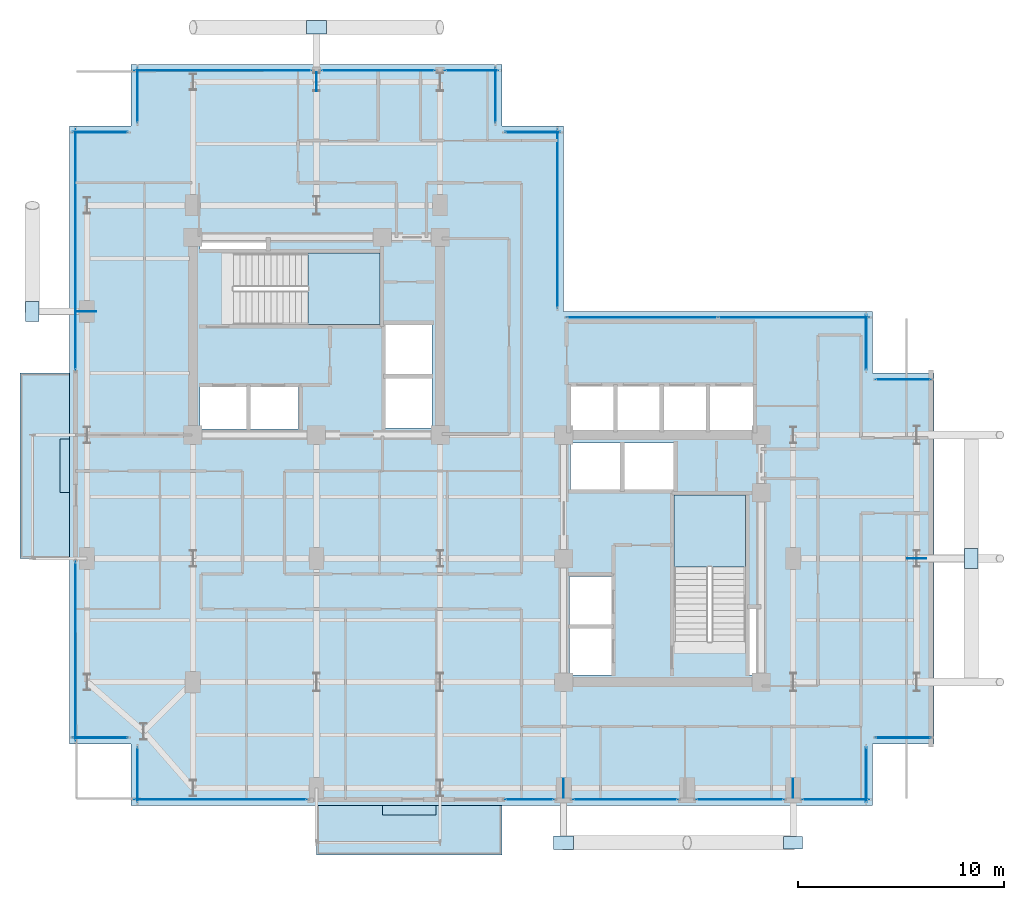
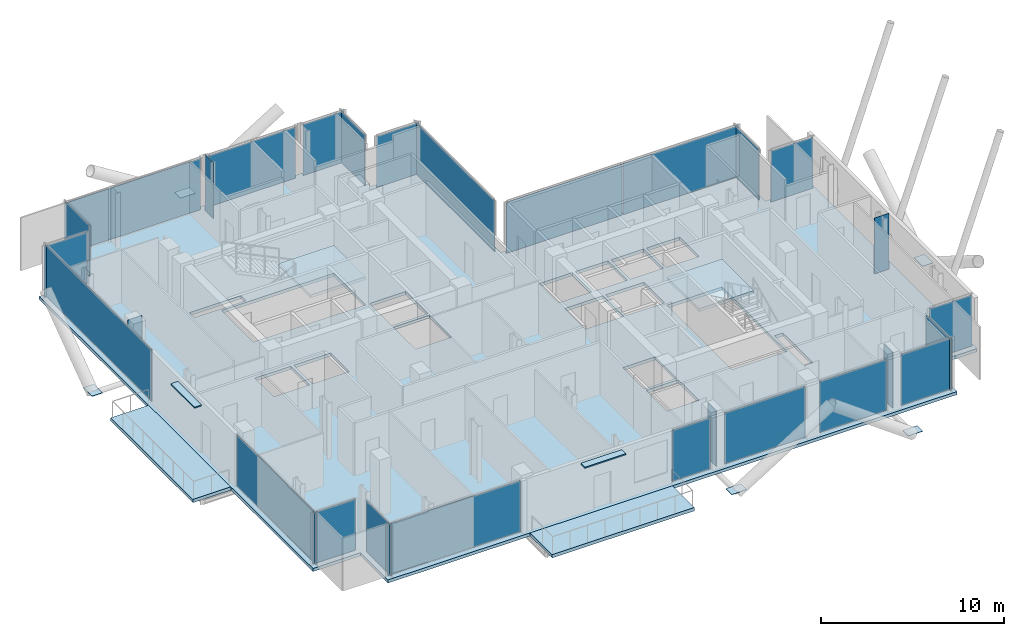
# One storey, part 15 of 22: 35 plates, 5 slabs, 24 elements without a shape of their own.
"""IFC4 building model written with IfcOpenShell, lengths in metres."""

import ifcopenshell
import ifcopenshell.guid

model = None  # the IFC model being written
_history = None  # IfcOwnerHistory: only IFC2X3 demands one
_inside = {}  # id of a spatial element -> (the spatial element, [elements in it])
_under = {}  # id of a project, library or spatial element -> (it, [spatial elements below it])
_declared = {}  # id of a project -> (the project, [libraries it declares])
_typed = {}  # id of a type object -> (the type object, [elements of that type])
_made_of = {}  # id of a material, layer set ... -> (it, [elements and type objects made of it])


def new_model(schema):
    """Start an empty IFC model of exactly this schema.

    Asked for "IFC4X3", IfcOpenShell would pick the latest addendum, in which some entities
    have other attributes; the version numbers below select the first issue.
    IFC2X3 requires an IfcOwnerHistory on every rooted entity: one is made here for all.
    """
    global model, _history
    if schema == "IFC4X3":
        model = ifcopenshell.file(schema_version=(4, 3, 0, 0))
    else:
        model = ifcopenshell.file(schema=schema)
    _inside.clear()
    _under.clear()
    _declared.clear()
    _typed.clear()
    _made_of.clear()
    _history = None
    if model.schema == "IFC2X3":
        org = make("IfcOrganization", Name="unknown")
        user = make(
            "IfcPersonAndOrganization",
            ThePerson=make("IfcPerson", FamilyName="unknown"),
            TheOrganization=org,
        )
        app = make(
            "IfcApplication",
            ApplicationDeveloper=org,
            Version="unknown",
            ApplicationFullName="unknown",
            ApplicationIdentifier="unknown",
        )
        _history = make(
            "IfcOwnerHistory",
            OwningUser=user,
            OwningApplication=app,
            ChangeAction="ADDED",
            CreationDate=0,
        )
    return model


def make(cls, **values):
    """One entity of the class cls with the attributes given. An attribute that is None is left unset."""
    return model.create_entity(
        cls, **{name: value for name, value in values.items() if value is not None}
    )


def rooted(cls, **values):
    """An entity with a GlobalId (a new one), such as an element, a storey or a relation."""
    return make(cls, GlobalId=ifcopenshell.guid.new(), OwnerHistory=_history, **values)


def si_unit(unit_type, name, prefix=None):
    """IfcSIUnit, for example si_unit("LENGTHUNIT", "METRE", prefix="MILLI")."""
    return make("IfcSIUnit", UnitType=unit_type, Prefix=prefix, Name=name)


def assignment(units):
    """IfcUnitAssignment: the units of a project."""
    return None if units is None else make("IfcUnitAssignment", Units=units)


def point(xyz):
    """IfcCartesianPoint."""
    return None if xyz is None else make("IfcCartesianPoint", Coordinates=xyz)


def direction(xyz):
    """IfcDirection."""
    return None if xyz is None else make("IfcDirection", DirectionRatios=xyz)


def frame(location, z_axis=None, x_axis=None):
    """IfcAxis2Placement3D, a coordinate frame: its origin and axes. An axis left out is left unset."""
    return make(
        "IfcAxis2Placement3D",
        Location=point(location),
        Axis=direction(z_axis),
        RefDirection=direction(x_axis),
    )


def frame_2d(location, x_axis=None):
    """IfcAxis2Placement2D, a coordinate frame in the plane: its origin and x axis."""
    return make(
        "IfcAxis2Placement2D", Location=point(location), RefDirection=direction(x_axis)
    )


def origin():
    """The frame at (0, 0, 0) with its axes left unset."""
    return frame((0.0, 0.0, 0.0))


def origin_2d():
    """The frame at (0, 0) in the plane with its x axis left unset."""
    return frame_2d((0.0, 0.0))


def place(relative_to, where):
    """IfcLocalPlacement: puts the frame where relative to a parent placement (None: the world)."""
    return make(
        "IfcLocalPlacement", PlacementRelTo=relative_to, RelativePlacement=where
    )


def context(
    kind, dimensions, precision=None, world=None, true_north=None, identifier=None
):
    """IfcGeometricRepresentationContext, for example the 3D "Model" context."""
    return make(
        "IfcGeometricRepresentationContext",
        ContextIdentifier=identifier,
        ContextType=kind,
        CoordinateSpaceDimension=dimensions,
        Precision=precision,
        WorldCoordinateSystem=world,
        TrueNorth=true_north,
    )


def subcontext(parent, identifier, kind, view, scale=None):
    """IfcGeometricRepresentationSubContext, for example "Body" below "Model"."""
    return make(
        "IfcGeometricRepresentationSubContext",
        ContextIdentifier=identifier,
        ContextType=kind,
        ParentContext=parent,
        TargetScale=scale,
        TargetView=view,
    )


def project(units=None, contexts=None):
    """IfcProject with its units and contexts."""
    return rooted(
        "IfcProject",
        Name="project",
        RepresentationContexts=contexts,
        UnitsInContext=assignment(units),
    )


def spatial(cls, under=None, at=None, **own):
    """A site, building, storey or space (cls), placed at a placement, below another one or the project."""
    s = rooted(cls, ObjectPlacement=at, **own)
    if under is not None:
        _under.setdefault(under.id(), (under, []))[1].append(s)
    return s


def polyline(points):
    """IfcPolyline through the points."""
    return make("IfcPolyline", Points=[point(p) for p in points])


def profile(cls, at=None, kind="AREA", **sizes):
    """A parametric profile (cls). Its sizes go by their IFC names, for example OverallWidth=200.0."""
    return make(cls, ProfileType=kind, Position=at, **sizes)


def rectangle(**sizes):
    """IfcRectangleProfileDef."""
    return profile("IfcRectangleProfileDef", **sizes)


def outline(outer, holes=None, kind="AREA"):
    """IfcArbitraryClosedProfileDef: a profile drawn as a closed curve; with holes, ...WithVoids."""
    if holes is None:
        return make("IfcArbitraryClosedProfileDef", ProfileType=kind, OuterCurve=outer)
    return make(
        "IfcArbitraryProfileDefWithVoids",
        ProfileType=kind,
        OuterCurve=outer,
        InnerCurves=holes,
    )


def extrude(swept, where, along, depth):
    """IfcExtrudedAreaSolid: the profile swept, set in the frame where, extruded along a direction by depth."""
    return make(
        "IfcExtrudedAreaSolid",
        SweptArea=swept,
        Position=where,
        ExtrudedDirection=direction(along),
        Depth=depth,
    )


def shape(context_of_items, identifier, shape_type, items):
    """IfcShapeRepresentation: the items that make up one representation, for example the "Body"."""
    return make(
        "IfcShapeRepresentation",
        ContextOfItems=context_of_items,
        RepresentationIdentifier=identifier,
        RepresentationType=shape_type,
        Items=items,
    )


def material(Name=None, Category=None):
    """IfcMaterial."""
    return make("IfcMaterial", Name=Name, Category=Category)


def layer(
    of_material, thickness, ventilated=None, Name=None, Category=None, Priority=None
):
    """IfcMaterialLayer: one layer of a wall or slab, of a material (None: an air gap)."""
    return make(
        "IfcMaterialLayer",
        Material=of_material,
        LayerThickness=thickness,
        IsVentilated=ventilated,
        Name=Name,
        Category=Category,
        Priority=Priority,
    )


def layer_set(layers, Name=None):
    """IfcMaterialLayerSet."""
    return make("IfcMaterialLayerSet", MaterialLayers=layers, LayerSetName=Name)


def made_of(thing, what):
    """Note that an element or type object is made of a material, layer set ...; save() writes the relation."""
    if what is not None:
        _made_of.setdefault(what.id(), (what, []))[1].append(thing)
    return thing


def type_object(cls, material=None, **own):
    """A type object (cls), such as IfcWallType, which elements share."""
    return made_of(rooted(cls, **own), material)


def element(
    cls,
    number,
    at=None,
    inside=None,
    cuts=None,
    type_object=None,
    material=None,
    context=None,
    identifier="Body",
    shape_type=None,
    held_by="IfcProductDefinitionShape",
    body=None,
    shapes=None,
    **own,
):
    """One element of the class cls, such as IfcWall. Its Tag is "e" and its number.

    at: its placement. inside: the storey or other place that contains it. cuts: it is an
    opening in that element (IfcRelVoidsElement). A single representation is given by context,
    identifier, shape_type and body (its items); several are given by shapes. held_by: the class
    of the entity that holds the representations. save() writes the other relations.
    """
    e = rooted(cls, Tag="e%d" % number, ObjectPlacement=at, **own)
    if body is not None:
        shapes = [shape(context, identifier, shape_type, body)]
    if shapes is not None:
        e.Representation = make(held_by, Representations=shapes)
    if inside is not None:
        _inside.setdefault(inside.id(), (inside, []))[1].append(e)
    if cuts is not None:
        rooted(
            "IfcRelVoidsElement", RelatingBuildingElement=cuts, RelatedOpeningElement=e
        )
    if type_object is not None:
        _typed.setdefault(type_object.id(), (type_object, []))[1].append(e)
    return made_of(e, material)


def aggregate(whole, parts):
    """IfcRelAggregates: a whole, such as a stair, and the parts it consists of."""
    return rooted("IfcRelAggregates", RelatingObject=whole, RelatedObjects=parts)


def save(model, path):
    """Write the relations noted so far, then the file.

    IfcRelAggregates (storeys below a building ...), IfcRelContainedInSpatialStructure (elements
    in a storey), IfcRelDefinesByType, IfcRelAssociatesMaterial and IfcRelDeclares: one each for
    every whole, place, type object, material and project.
    """
    for whole, parts in _under.values():
        aggregate(whole, parts)
    for where, things in _inside.values():
        rooted(
            "IfcRelContainedInSpatialStructure",
            RelatedElements=things,
            RelatingStructure=where,
        )
    for kind, things in _typed.values():
        rooted("IfcRelDefinesByType", RelatedObjects=things, RelatingType=kind)
    for what, things in _made_of.values():
        rooted("IfcRelAssociatesMaterial", RelatedObjects=things, RelatingMaterial=what)
    for by, libraries in _declared.values():
        rooted("IfcRelDeclares", RelatingContext=by, RelatedDefinitions=libraries)
    model.write(path)


model = new_model("IFC4")

# Units and contexts
model_context = context("Model", 3, precision=1e-05, world=origin(), true_north=direction((0.0, 1.0)))
body_context = subcontext(model_context, "Body", "Model", "MODEL_VIEW")
ifc_project = project(units=[si_unit("LENGTHUNIT", "METRE"), si_unit("AREAUNIT", "SQUARE_METRE"), si_unit("VOLUMEUNIT", "CUBIC_METRE"), si_unit("PLANEANGLEUNIT", "RADIAN"), si_unit("MASSUNIT", "GRAM", prefix="KILO"), si_unit("THERMODYNAMICTEMPERATUREUNIT", "KELVIN"), si_unit("POWERUNIT", "WATT")], contexts=[model_context])

# Site, building, storey
site_placement = place(None, origin())
site = spatial("IfcSite", under=ifc_project, at=site_placement, CompositionType="ELEMENT")
building_placement = place(site_placement, origin())
building = spatial("IfcBuilding", under=site, at=building_placement, Name="Svarakhadi Broadcast Tower", CompositionType="ELEMENT")
storey_placement = place(building_placement, frame((0.0, 0.0, 191.699951171875)))
storey = spatial("IfcBuildingStorey", under=building, at=storey_placement, Name="L47", CompositionType="ELEMENT", Elevation=191.699951171875)

# Curtain wall, plate
ifc_material_1 = material(Name="Anodised Bronze Aluminium AA 6063-T6", Category="aluminium")
ifc_layer_1 = layer(ifc_material_1, 0.18994140625)
ifc_layer_set_1 = layer_set([ifc_layer_1], Name="Anodised Bronze Aluminium AA 6063-T6")
curtain_wall_type = type_object("IfcCurtainWallType", Name="CW_Sys_04", PredefinedType="NOTDEFINED", material=ifc_layer_set_1)
curtain_wall_1_placement = place(storey_placement, origin())
curtain_wall_1 = element("IfcCurtainWall", 1, at=curtain_wall_1_placement, inside=storey, type_object=curtain_wall_type, Name="L47 Unitised Facade Curtain Wall 01", PredefinedType="NOTDEFINED")
ifc_material_2 = material(Name="Double Low-E Laminated Acoustic Glass IGU 36 mm", Category="glass")
ifc_layer_2 = layer(ifc_material_2, 0.033935546875)
ifc_layer_set_2 = layer_set([ifc_layer_2], Name="Double Low-E Laminated Acoustic Glass IGU 36 mm")
plate_type_1 = type_object("IfcPlateType", Name="CW_Sys_04_Pnl", PredefinedType="CURTAIN_PANEL", material=ifc_layer_set_2)
plate_1_placement = place(storey_placement, frame((1.5, 3.300048828125, 0.06494140625), z_axis=(0.0, 0.0, 1.0), x_axis=(-1.0, 0.0, 0.0)))
plate_1 = element("IfcPlate", 2, at=plate_1_placement, type_object=plate_type_1, Name="CW-04 panel 1.1", PredefinedType="CURTAIN_PANEL", context=body_context, shape_type="SweptSolid", body=[
    extrude(rectangle(XDim=2.679931640625, YDim=0.033935546875, at=origin_2d()), origin(), (0.0, 0.0, 1.0), 3.409912109375),
])
aggregate(curtain_wall_1, [plate_1])

curtain_wall_2_placement = place(storey_placement, origin())
curtain_wall_2 = element("IfcCurtainWall", 3, at=curtain_wall_2_placement, inside=storey, type_object=curtain_wall_type, Name="L47 West Curtain Wall 02", PredefinedType="NOTDEFINED")
plate_2_placement = place(storey_placement, frame((0.300048828125, 7.5, 0.06494140625), z_axis=(0.0, 0.0, 1.0), x_axis=(0.0, 1.0, 0.0)))
plate_2 = element("IfcPlate", 4, at=plate_2_placement, type_object=plate_type_1, Name="CW-04 panel 1.1", PredefinedType="CURTAIN_PANEL", context=body_context, shape_type="SweptSolid", body=[
    extrude(rectangle(XDim=8.679931640625, YDim=0.033935546875, at=origin_2d()), origin(), (0.0, 0.0, 1.0), 3.409912109375),
])
aggregate(curtain_wall_2, [plate_2])

curtain_wall_3_placement = place(storey_placement, origin())
curtain_wall_3 = element("IfcCurtainWall", 5, at=curtain_wall_3_placement, inside=storey, type_object=curtain_wall_type, Name="L47 West Curtain Wall 03", PredefinedType="NOTDEFINED")
plate_3_placement = place(storey_placement, frame((0.300048828125, 27.0, 0.06494140625), z_axis=(0.0, 0.0, 1.0), x_axis=(0.0, 1.0, 0.0)))
plate_3 = element("IfcPlate", 6, at=plate_3_placement, type_object=plate_type_1, Name="CW-04 panel 1.1", PredefinedType="CURTAIN_PANEL", context=body_context, shape_type="SweptSolid", body=[
    extrude(rectangle(XDim=11.679931640625, YDim=0.033935546875, at=origin_2d()), origin(), (0.0, 0.0, 1.0), 3.409912109375),
])
aggregate(curtain_wall_3, [plate_3])

curtain_wall_4_placement = place(storey_placement, origin())
curtain_wall_4 = element("IfcCurtainWall", 7, at=curtain_wall_4_placement, inside=storey, type_object=curtain_wall_type, Name="L47 Unitised Facade Curtain Wall 04", PredefinedType="NOTDEFINED")
plate_4_placement = place(storey_placement, frame((1.5, 32.699951171875, 0.06494140625), z_axis=(0.0, 0.0, 1.0), x_axis=(1.0, 0.0, 0.0)))
plate_4 = element("IfcPlate", 8, at=plate_4_placement, type_object=plate_type_1, Name="CW-04 panel 1.1", PredefinedType="CURTAIN_PANEL", context=body_context, shape_type="SweptSolid", body=[
    extrude(rectangle(XDim=2.679931640625, YDim=0.033935546875, at=origin_2d()), origin(), (0.0, 0.0, 1.0), 3.409912109375),
])
aggregate(curtain_wall_4, [plate_4])

curtain_wall_5_placement = place(storey_placement, origin())
curtain_wall_5 = element("IfcCurtainWall", 9, at=curtain_wall_5_placement, inside=storey, type_object=curtain_wall_type, Name="L47 Unitised Facade Curtain Wall 05", PredefinedType="NOTDEFINED")
plate_5_placement = place(storey_placement, frame((3.300048828125, 34.5, 0.06494140625), z_axis=(0.0, 0.0, 1.0), x_axis=(0.0, 1.0, 0.0)))
plate_5 = element("IfcPlate", 10, at=plate_5_placement, type_object=plate_type_1, Name="CW-04 panel 1.1", PredefinedType="CURTAIN_PANEL", context=body_context, shape_type="SweptSolid", body=[
    extrude(rectangle(XDim=2.679931640625, YDim=0.033935546875, at=origin_2d()), origin(), (0.0, 0.0, 1.0), 3.409912109375),
])
aggregate(curtain_wall_5, [plate_5])

curtain_wall_6_placement = place(storey_placement, origin())
curtain_wall_6 = element("IfcCurtainWall", 11, at=curtain_wall_6_placement, inside=storey, type_object=curtain_wall_type, Name="L47 Unitised Facade Curtain Wall 06 Bay 1", PredefinedType="NOTDEFINED")
plate_6_placement = place(storey_placement, frame((7.4599609375, 35.699951171875, 0.06494140625), z_axis=(0.0, 0.0, 1.0), x_axis=(1.0, 0.0, 0.0)))
plate_6 = element("IfcPlate", 12, at=plate_6_placement, type_object=plate_type_1, Name="CW-04 panel 1.1", PredefinedType="CURTAIN_PANEL", context=body_context, shape_type="SweptSolid", body=[
    extrude(rectangle(XDim=8.60009765625, YDim=0.033935546875, at=origin_2d()), origin(), (0.0, 0.0, 1.0), 3.409912109375),
])
aggregate(curtain_wall_6, [plate_6])

curtain_wall_7_placement = place(storey_placement, origin())
curtain_wall_7 = element("IfcCurtainWall", 13, at=curtain_wall_7_placement, inside=storey, type_object=curtain_wall_type, Name="L47 Unitised Facade Curtain Wall 06 Bay 2", PredefinedType="NOTDEFINED")
plate_7_placement = place(storey_placement, frame((15.0, 35.699951171875, 0.06494140625), z_axis=(0.0, 0.0, 1.0), x_axis=(1.0, 0.0, 0.0)))
plate_7 = element("IfcPlate", 14, at=plate_7_placement, type_object=plate_type_1, Name="CW-04 panel 1.1", PredefinedType="CURTAIN_PANEL", context=body_context, shape_type="SweptSolid", body=[
    extrude(rectangle(XDim=5.52001953125, YDim=0.033935546875, at=origin_2d()), origin(), (0.0, 0.0, 1.0), 3.409912109375),
])
aggregate(curtain_wall_7, [plate_7])

curtain_wall_8_placement = place(storey_placement, origin())
curtain_wall_8 = element("IfcCurtainWall", 15, at=curtain_wall_8_placement, inside=storey, type_object=curtain_wall_type, Name="L47 Unitised Facade Curtain Wall 06 Bay 3", PredefinedType="NOTDEFINED")
plate_8_placement = place(storey_placement, frame((19.5400390625, 35.699951171875, 0.06494140625), z_axis=(0.0, 0.0, 1.0), x_axis=(1.0, 0.0, 0.0)))
plate_8 = element("IfcPlate", 16, at=plate_8_placement, type_object=plate_type_1, Name="CW-04 panel 1.1", PredefinedType="CURTAIN_PANEL", context=body_context, shape_type="SweptSolid", body=[
    extrude(rectangle(XDim=2.60009765625, YDim=0.033935546875, at=origin_2d()), origin(), (0.0, 0.0, 1.0), 3.409912109375),
])
aggregate(curtain_wall_8, [plate_8])

curtain_wall_9_placement = place(storey_placement, origin())
curtain_wall_9 = element("IfcCurtainWall", 17, at=curtain_wall_9_placement, inside=storey, type_object=curtain_wall_type, Name="L47 Unitised Facade Curtain Wall 07", PredefinedType="NOTDEFINED")
plate_9_placement = place(storey_placement, frame((20.699951171875, 34.5, 0.06494140625), z_axis=(0.0, 0.0, 1.0), x_axis=(0.0, -1.0, 0.0)))
plate_9 = element("IfcPlate", 18, at=plate_9_placement, type_object=plate_type_1, Name="CW-04 panel 1.1", PredefinedType="CURTAIN_PANEL", context=body_context, shape_type="SweptSolid", body=[
    extrude(rectangle(XDim=2.679931640625, YDim=0.033935546875, at=origin_2d()), origin(), (0.0, 0.0, 1.0), 3.409912109375),
])
aggregate(curtain_wall_9, [plate_9])

curtain_wall_10_placement = place(storey_placement, origin())
curtain_wall_10 = element("IfcCurtainWall", 19, at=curtain_wall_10_placement, inside=storey, type_object=curtain_wall_type, Name="L47 Unitised Facade Curtain Wall 08", PredefinedType="NOTDEFINED")
plate_10_placement = place(storey_placement, frame((22.5, 32.699951171875, 0.06494140625), z_axis=(0.0, 0.0, 1.0), x_axis=(1.0, 0.0, 0.0)))
plate_10 = element("IfcPlate", 20, at=plate_10_placement, type_object=plate_type_1, Name="CW-04 panel 1.1", PredefinedType="CURTAIN_PANEL", context=body_context, shape_type="SweptSolid", body=[
    extrude(rectangle(XDim=2.679931640625, YDim=0.033935546875, at=origin_2d()), origin(), (0.0, 0.0, 1.0), 3.409912109375),
])
aggregate(curtain_wall_10, [plate_10])

curtain_wall_11_placement = place(storey_placement, origin())
curtain_wall_11 = element("IfcCurtainWall", 21, at=curtain_wall_11_placement, inside=storey, type_object=curtain_wall_type, Name="L47 Unitised Facade Curtain Wall 09", PredefinedType="NOTDEFINED")
plate_11_placement = place(storey_placement, frame((23.699951171875, 28.5, 0.06494140625), z_axis=(0.0, 0.0, 1.0), x_axis=(0.0, -1.0, 0.0)))
plate_11 = element("IfcPlate", 22, at=plate_11_placement, type_object=plate_type_1, Name="CW-04 panel 1.1", PredefinedType="CURTAIN_PANEL", context=body_context, shape_type="SweptSolid", body=[
    extrude(rectangle(XDim=8.679931640625, YDim=0.033935546875, at=origin_2d()), origin(), (0.0, 0.0, 1.0), 3.409912109375),
])
aggregate(curtain_wall_11, [plate_11])

# Curtain wall, plates
curtain_wall_12_placement = place(storey_placement, origin())
curtain_wall_12 = element("IfcCurtainWall", 23, at=curtain_wall_12_placement, inside=storey, type_object=curtain_wall_type, Name="L47 Unitised Facade Curtain Wall 10", PredefinedType="NOTDEFINED")
plate_12_placement = place(storey_placement, frame((27.8125, 23.699951171875, 0.06494140625), z_axis=(0.0, 0.0, 1.0), x_axis=(1.0, 0.0, 0.0)))
plate_12 = element("IfcPlate", 24, at=plate_12_placement, type_object=plate_type_1, Name="CW-04 panel 1.1", PredefinedType="CURTAIN_PANEL", context=body_context, shape_type="SweptSolid", body=[
    extrude(rectangle(XDim=7.304931640625, YDim=0.033935546875, at=origin_2d()), origin(), (0.0, 0.0, 1.0), 3.409912109375),
])
plate_13_placement = place(storey_placement, frame((35.1875, 23.699951171875, 0.06494140625), z_axis=(0.0, 0.0, 1.0), x_axis=(1.0, 0.0, 0.0)))
plate_13 = element("IfcPlate", 25, at=plate_13_placement, type_object=plate_type_1, Name="CW-04 panel 2.1", PredefinedType="CURTAIN_PANEL", context=body_context, shape_type="SweptSolid", body=[
    extrude(rectangle(XDim=7.304931640625, YDim=0.033935546875, at=origin_2d()), origin(), (0.0, 0.0, 1.0), 3.409912109375),
])
aggregate(curtain_wall_12, [plate_12, plate_13])

# Curtain wall, plate
curtain_wall_13_placement = place(storey_placement, origin())
curtain_wall_13 = element("IfcCurtainWall", 26, at=curtain_wall_13_placement, inside=storey, type_object=curtain_wall_type, Name="L47 Unitised Facade Curtain Wall 11", PredefinedType="NOTDEFINED")
plate_14_placement = place(storey_placement, frame((38.699951171875, 22.5, 0.06494140625), z_axis=(0.0, 0.0, 1.0), x_axis=(0.0, -1.0, 0.0)))
plate_14 = element("IfcPlate", 27, at=plate_14_placement, type_object=plate_type_1, Name="CW-04 panel 1.1", PredefinedType="CURTAIN_PANEL", context=body_context, shape_type="SweptSolid", body=[
    extrude(rectangle(XDim=2.679931640625, YDim=0.033935546875, at=origin_2d()), origin(), (0.0, 0.0, 1.0), 3.409912109375),
])
aggregate(curtain_wall_13, [plate_14])

curtain_wall_14_placement = place(storey_placement, origin())
curtain_wall_14 = element("IfcCurtainWall", 28, at=curtain_wall_14_placement, inside=storey, type_object=curtain_wall_type, Name="L47 Unitised Facade Curtain Wall 12", PredefinedType="NOTDEFINED")
plate_15_placement = place(storey_placement, frame((40.5, 20.699951171875, 0.06494140625), z_axis=(0.0, 0.0, 1.0), x_axis=(1.0, 0.0, 0.0)))
plate_15 = element("IfcPlate", 29, at=plate_15_placement, type_object=plate_type_1, Name="CW-04 panel 1.1", PredefinedType="CURTAIN_PANEL", context=body_context, shape_type="SweptSolid", body=[
    extrude(rectangle(XDim=2.679931640625, YDim=0.033935546875, at=origin_2d()), origin(), (0.0, 0.0, 1.0), 3.409912109375),
])
aggregate(curtain_wall_14, [plate_15])

curtain_wall_15_placement = place(storey_placement, origin())
curtain_wall_15 = element("IfcCurtainWall", 30, at=curtain_wall_15_placement, inside=storey, type_object=curtain_wall_type, Name="L47 Unitised Facade Curtain Wall 13", PredefinedType="NOTDEFINED")
plate_16_placement = place(storey_placement, frame((40.5, 3.300048828125, 0.06494140625), z_axis=(0.0, 0.0, 1.0), x_axis=(-1.0, 0.0, 0.0)))
plate_16 = element("IfcPlate", 31, at=plate_16_placement, type_object=plate_type_1, Name="CW-04 panel 1.1", PredefinedType="CURTAIN_PANEL", context=body_context, shape_type="SweptSolid", body=[
    extrude(rectangle(XDim=2.679931640625, YDim=0.033935546875, at=origin_2d()), origin(), (0.0, 0.0, 1.0), 3.409912109375),
])
aggregate(curtain_wall_15, [plate_16])

curtain_wall_16_placement = place(storey_placement, origin())
curtain_wall_16 = element("IfcCurtainWall", 32, at=curtain_wall_16_placement, inside=storey, type_object=curtain_wall_type, Name="L47 Unitised Facade Curtain Wall 14", PredefinedType="NOTDEFINED")
plate_17_placement = place(storey_placement, frame((38.699951171875, 1.5, 0.06494140625), z_axis=(0.0, 0.0, 1.0), x_axis=(0.0, -1.0, 0.0)))
plate_17 = element("IfcPlate", 33, at=plate_17_placement, type_object=plate_type_1, Name="CW-04 panel 1.1", PredefinedType="CURTAIN_PANEL", context=body_context, shape_type="SweptSolid", body=[
    extrude(rectangle(XDim=2.679931640625, YDim=0.033935546875, at=origin_2d()), origin(), (0.0, 0.0, 1.0), 3.409912109375),
])
aggregate(curtain_wall_16, [plate_17])

curtain_wall_17_placement = place(storey_placement, origin())
curtain_wall_17 = element("IfcCurtainWall", 34, at=curtain_wall_17_placement, inside=storey, type_object=curtain_wall_type, Name="L47 South Curtain Wall 15 Bay 1", PredefinedType="NOTDEFINED")
plate_18_placement = place(storey_placement, frame((37.2275390625, 0.300048828125, 0.06494140625), z_axis=(0.0, 0.0, 1.0), x_axis=(-1.0, 0.0, 0.0)))
plate_18 = element("IfcPlate", 35, at=plate_18_placement, type_object=plate_type_1, Name="CW-04 panel 1.1", PredefinedType="CURTAIN_PANEL", context=body_context, shape_type="SweptSolid", body=[
    extrude(rectangle(XDim=3.22509765625, YDim=0.033935546875, at=origin_2d()), origin(), (0.0, 0.0, 1.0), 3.409912109375),
])
aggregate(curtain_wall_17, [plate_18])

curtain_wall_18_placement = place(storey_placement, origin())
curtain_wall_18 = element("IfcCurtainWall", 36, at=curtain_wall_18_placement, inside=storey, type_object=curtain_wall_type, Name="L47 South Curtain Wall 15 Bay 2", PredefinedType="NOTDEFINED")
plate_19_placement = place(storey_placement, frame((32.574951171875, 0.300048828125, 0.06494140625), z_axis=(0.0, 0.0, 1.0), x_axis=(-1.0, 0.0, 0.0)))
plate_19 = element("IfcPlate", 37, at=plate_19_placement, type_object=plate_type_1, Name="CW-04 panel 1.1", PredefinedType="CURTAIN_PANEL", context=body_context, shape_type="SweptSolid", body=[
    extrude(rectangle(XDim=4.219970703125, YDim=0.033935546875, at=origin_2d()), origin(), (0.0, 0.0, 1.0), 3.409912109375),
])
aggregate(curtain_wall_18, [plate_19])

curtain_wall_19_placement = place(storey_placement, origin())
curtain_wall_19 = element("IfcCurtainWall", 38, at=curtain_wall_19_placement, inside=storey, type_object=curtain_wall_type, Name="L47 South Curtain Wall 15 Bay 3", PredefinedType="NOTDEFINED")
plate_20_placement = place(storey_placement, frame((27.0, 0.300048828125, 0.06494140625), z_axis=(0.0, 0.0, 1.0), x_axis=(-1.0, 0.0, 0.0)))
plate_20 = element("IfcPlate", 39, at=plate_20_placement, type_object=plate_type_1, Name="CW-04 panel 1.1", PredefinedType="CURTAIN_PANEL", context=body_context, shape_type="SweptSolid", body=[
    extrude(rectangle(XDim=5.070068359375, YDim=0.033935546875, at=origin_2d()), origin(), (0.0, 0.0, 1.0), 3.409912109375),
])
aggregate(curtain_wall_19, [plate_20])

curtain_wall_20_placement = place(storey_placement, origin())
curtain_wall_20 = element("IfcCurtainWall", 40, at=curtain_wall_20_placement, inside=storey, type_object=curtain_wall_type, Name="L47 South Curtain Wall 15 Bay 4", PredefinedType="NOTDEFINED")
plate_21_placement = place(storey_placement, frame((22.347412109375, 0.300048828125, 0.06494140625), z_axis=(0.0, 0.0, 1.0), x_axis=(-1.0, 0.0, 0.0)))
plate_21 = element("IfcPlate", 41, at=plate_21_placement, type_object=plate_type_1, Name="CW-04 panel 1.1", PredefinedType="CURTAIN_PANEL", context=body_context, shape_type="SweptSolid", body=[
    extrude(rectangle(XDim=2.375, YDim=0.033935546875, at=origin_2d()), origin(), (0.0, 0.0, 1.0), 3.409912109375),
])
aggregate(curtain_wall_20, [plate_21])

curtain_wall_21_placement = place(storey_placement, origin())
curtain_wall_21 = element("IfcCurtainWall", 42, at=curtain_wall_21_placement, inside=storey, type_object=curtain_wall_type, Name="L47 South Curtain Wall 16", PredefinedType="NOTDEFINED")
plate_22_placement = place(storey_placement, frame((7.347412109375, 0.300048828125, 0.06494140625), z_axis=(0.0, 0.0, 1.0), x_axis=(-1.0, 0.0, 0.0)))
plate_22 = element("IfcPlate", 43, at=plate_22_placement, type_object=plate_type_1, Name="CW-04 panel 1.1", PredefinedType="CURTAIN_PANEL", context=body_context, shape_type="SweptSolid", body=[
    extrude(rectangle(XDim=8.375, YDim=0.033935546875, at=origin_2d()), origin(), (0.0, 0.0, 1.0), 3.409912109375),
])
aggregate(curtain_wall_21, [plate_22])

curtain_wall_22_placement = place(storey_placement, origin())
curtain_wall_22 = element("IfcCurtainWall", 44, at=curtain_wall_22_placement, inside=storey, type_object=curtain_wall_type, Name="L47 Unitised Facade Curtain Wall 17", PredefinedType="NOTDEFINED")
plate_23_placement = place(storey_placement, frame((3.300048828125, 1.5, 0.06494140625), z_axis=(0.0, 0.0, 1.0), x_axis=(0.0, 1.0, 0.0)))
plate_23 = element("IfcPlate", 45, at=plate_23_placement, type_object=plate_type_1, Name="CW-04 panel 1.1", PredefinedType="CURTAIN_PANEL", context=body_context, shape_type="SweptSolid", body=[
    extrude(rectangle(XDim=2.679931640625, YDim=0.033935546875, at=origin_2d()), origin(), (0.0, 0.0, 1.0), 3.409912109375),
])
aggregate(curtain_wall_22, [plate_23])

# Plates
ifc_material_3 = material(Name="Steel S460ML (IS 2062 E450BR)", Category="steel")
ifc_layer_3 = layer(ifc_material_3, 0.028076171875)
ifc_layer_set_3 = layer_set([ifc_layer_3], Name="Steel S460ML (IS 2062 E450BR)")
plate_type_2 = type_object("IfcPlateType", Name="Node_Gusset_N03", PredefinedType="SHEET", material=ifc_layer_set_3)
for number, where, z_axis, x_axis, name in (
    (46, (24.0, -1.800048828125, -0.2099609375), (0.0, 0.0, 1.0), (1.0, 0.0, 0.0), "L47 Exoskeleton Gusset Node Plate S01"),
    (47, (-1.800048828125, 24.0, -0.2099609375), (0.0, 0.0, 1.0), (0.0, 1.0, 0.0), "L47 Exoskeleton Gusset Node Plate W03"),
    (48, (43.800048828125, 12.0, -0.2099609375), (0.0, 0.0, 1.0), (0.0, 1.0, 0.0), "L47 Exoskeleton Gusset Node Plate E04"),
    (49, (12.0, 37.800048828125, -0.2099609375), (0.0, 0.0, 1.0), (1.0, 0.0, 0.0), "L47 Exoskeleton Gusset Node Plate N05"),
):
    element("IfcPlate", number, at=place(storey_placement, frame(where, z_axis=z_axis, x_axis=x_axis)), inside=storey, type_object=plate_type_2, Name=name, PredefinedType="SHEET", context=body_context, shape_type="SweptSolid", body=[
        extrude(rectangle(XDim=0.9599609375, YDim=0.659912109375, at=origin_2d()), origin(), (0.0, 0.0, 1.0), 0.028076171875),
    ])
ifc_layer_4 = layer(ifc_material_3, 0.02587890625)
ifc_layer_set_4 = layer_set([ifc_layer_4], Name="Steel S460ML (IS 2062 E450BR)")
plate_type_3 = type_object("IfcPlateType", Name="Node_Gusset_N07", PredefinedType="SHEET", material=ifc_layer_set_4)
plate_24_placement = place(storey_placement, frame((35.14990234375, -1.800048828125, -0.2099609375), z_axis=(0.0, 0.0, 1.0), x_axis=(1.0, 0.0, 0.0)))
element("IfcPlate", 50, at=plate_24_placement, inside=storey, type_object=plate_type_3, Name="L47 Exoskeleton Gusset Node Plate S02", PredefinedType="SHEET", context=body_context, shape_type="SweptSolid", body=[
    extrude(rectangle(XDim=0.919921875, YDim=0.6201171875, at=origin_2d()), origin(), (0.0, 0.0, 1.0), 0.02587890625),
])
for number, where, z_axis, x_axis, name in (
    (51, (24.0, 0.85009765625, -0.57177734375), (0.0, 0.0, 1.0), (0.0, 1.0, 0.0), "L47 Brace End Connection Gusset Plate N-07-E0388"),
    (52, (35.14990234375, 0.85009765625, -0.57177734375), (0.0, 0.0, 1.0), (0.0, 1.0, 0.0), "L47 Brace End Connection Gusset Plate N-07-E0389"),
    (53, (0.85009765625, 24.0, -0.57177734375), (0.0, 0.0, 1.0), (1.0, 0.0, 0.0), "L47 Brace End Connection Gusset Plate N-07-E0390"),
    (54, (41.14990234375, 12.0, -0.57177734375), (0.0, 0.0, 1.0), (1.0, 0.0, 0.0), "L47 Brace End Connection Gusset Plate N-07-E0391"),
    (55, (12.0, 35.14990234375, -0.57177734375), (0.0, 0.0, 1.0), (0.0, 1.0, 0.0), "L47 Brace End Connection Gusset Plate N-07-E0392"),
):
    element("IfcPlate", number, at=place(storey_placement, frame(where, z_axis=z_axis, x_axis=x_axis)), inside=storey, type_object=plate_type_3, Name=name, PredefinedType="SHEET", context=body_context, shape_type="SweptSolid", body=[
        extrude(rectangle(XDim=0.919921875, YDim=0.02587890625, at=origin_2d()), origin(), (0.0, 0.0, 1.0), 4.300048828125),
    ])

# Slab
ifc_material_4 = material(Name="Concrete C40/50 (IS 456 M50)", Category="concrete")
ifc_layer_5 = layer(ifc_material_4, 0.2099609375)
ifc_layer_set_5 = layer_set([ifc_layer_5], Name="Concrete C40/50 (IS 456 M50)")
slab_type_1 = type_object("IfcSlabType", Name="Slab_Floor_210", PredefinedType="FLOOR", material=ifc_layer_set_5)
slab_1_placement = place(storey_placement, frame((0.0, 0.0, -0.2099609375)))
element("IfcSlab", 56, at=slab_1_placement, inside=storey, type_object=slab_type_1, Name="L47 Structural Floor Slab", PredefinedType="FLOOR", context=body_context, shape_type="SweptSolid", body=[
    extrude(outline(polyline([(3.0, 0.0), (39.0, 0.0), (39.0, 3.0), (42.0, 3.0), (42.0, 21.0), (39.0, 21.0), (39.0, 24.0), (24.0, 24.0), (24.0, 33.0), (21.0, 33.0), (21.0, 36.0), (3.0, 36.0), (3.0, 33.0), (0.0, 33.0), (0.0, 3.0), (3.0, 3.0), (3.0, 0.0)]), holes=[polyline([(7.97998046875, 23.360107421875), (15.080078125, 23.360107421875), (15.080078125, 26.840087890625), (7.97998046875, 26.840087890625), (7.97998046875, 23.360107421875)]), polyline([(32.840087890625, 7.97998046875), (32.840087890625, 15.080078125), (29.360107421875, 15.080078125), (29.360107421875, 7.97998046875), (32.840087890625, 7.97998046875)]), polyline([(6.340087890625, 18.2900390625), (8.610107421875, 18.2900390625), (8.610107421875, 20.330078125), (6.340087890625, 20.330078125), (6.340087890625, 18.2900390625)]), polyline([(8.7900390625, 18.2900390625), (11.1298828125, 18.2900390625), (11.1298828125, 20.330078125), (8.7900390625, 20.330078125), (8.7900390625, 18.2900390625)]), polyline([(24.2900390625, 6.340087890625), (26.330078125, 6.340087890625), (26.330078125, 8.610107421875), (24.2900390625, 8.610107421875), (24.2900390625, 6.340087890625)]), polyline([(24.2900390625, 8.7900390625), (26.330078125, 8.7900390625), (26.330078125, 11.1298828125), (24.2900390625, 11.1298828125), (24.2900390625, 8.7900390625)]), polyline([(6.340087890625, 26.989990234375), (9.610107421875, 26.989990234375), (9.610107421875, 27.530029296875), (6.340087890625, 27.530029296875), (6.340087890625, 26.989990234375)]), polyline([(32.989990234375, 6.340087890625), (33.530029296875, 6.340087890625), (33.530029296875, 9.610107421875), (32.989990234375, 9.610107421875), (32.989990234375, 6.340087890625)]), polyline([(15.340087890625, 18.340087890625), (17.610107421875, 18.340087890625), (17.610107421875, 20.760009765625), (15.340087890625, 20.760009765625), (15.340087890625, 18.340087890625)]), polyline([(15.340087890625, 20.93994140625), (17.610107421875, 20.93994140625), (17.610107421875, 23.360107421875), (15.340087890625, 23.360107421875), (15.340087890625, 20.93994140625)]), polyline([(24.340087890625, 15.340087890625), (26.760009765625, 15.340087890625), (26.760009765625, 17.610107421875), (24.340087890625, 17.610107421875), (24.340087890625, 15.340087890625)]), polyline([(26.93994140625, 15.340087890625), (29.360107421875, 15.340087890625), (29.360107421875, 17.610107421875), (26.93994140625, 17.610107421875), (26.93994140625, 15.340087890625)]), polyline([(24.340087890625, 18.239990234375), (26.429931640625, 18.239990234375), (26.429931640625, 20.360107421875), (24.340087890625, 20.360107421875), (24.340087890625, 18.239990234375)]), polyline([(26.610107421875, 18.239990234375), (28.679931640625, 18.239990234375), (28.679931640625, 20.360107421875), (26.610107421875, 20.360107421875), (26.610107421875, 18.239990234375)]), polyline([(28.860107421875, 18.239990234375), (30.929931640625, 18.239990234375), (30.929931640625, 20.360107421875), (28.860107421875, 20.360107421875), (28.860107421875, 18.239990234375)]), polyline([(31.110107421875, 18.239990234375), (33.2099609375, 18.239990234375), (33.2099609375, 20.360107421875), (31.110107421875, 20.360107421875), (31.110107421875, 18.239990234375)])]), origin(), (0.0, 0.0, 1.0), 0.2099609375),
])

# Stair, slab
stair_type = type_object("IfcStairType", Name="Stair_Exit_Core", PredefinedType="HALF_TURN_STAIR", material=ifc_material_4)
stair_1_placement = place(storey_placement, origin())
stair_1 = element("IfcStair", 57, at=stair_1_placement, inside=storey, type_object=stair_type, Name="L47 West Core Protected Exit Stair ST-01", PredefinedType="HALF_TURN_STAIR")
ifc_layer_6 = layer(ifc_material_4, 0.199951171875)
ifc_layer_set_6 = layer_set([ifc_layer_6], Name="Concrete C40/50 (IS 456 M50)")
slab_type_2 = type_object("IfcSlabType", Name="Slab_Stair_Land", PredefinedType="LANDING", material=ifc_layer_set_6)
slab_2_placement = place(storey_placement, frame((0.0, 0.0, 1.675048828125)))
slab_2 = element("IfcSlab", 58, at=slab_2_placement, type_object=slab_type_2, Name="ST-01 landing 1", PredefinedType="LANDING", context=body_context, shape_type="SweptSolid", body=[
    extrude(outline(polyline([(11.580078125, 23.360107421875), (15.080078125, 23.360107421875), (15.080078125, 26.840087890625), (11.580078125, 26.840087890625), (11.580078125, 23.360107421875)])), origin(), (0.0, 0.0, 1.0), 0.199951171875),
])
aggregate(stair_1, [slab_2])

stair_2_placement = place(storey_placement, origin())
stair_2 = element("IfcStair", 59, at=stair_2_placement, inside=storey, type_object=stair_type, Name="L47 East Core Protected Exit Stair ST-02", PredefinedType="HALF_TURN_STAIR")
slab_3_placement = place(storey_placement, frame((0.0, 0.0, 1.675048828125)))
slab_3 = element("IfcSlab", 60, at=slab_3_placement, type_object=slab_type_2, Name="ST-02 landing 1", PredefinedType="LANDING", context=body_context, shape_type="SweptSolid", body=[
    extrude(outline(polyline([(32.840087890625, 11.580078125), (32.840087890625, 15.080078125), (29.360107421875, 15.080078125), (29.360107421875, 11.580078125), (32.840087890625, 11.580078125)])), origin(), (0.0, 0.0, 1.0), 0.199951171875),
])
aggregate(stair_2, [slab_3])

# Slabs
ifc_layer_7 = layer(ifc_material_4, 0.22509765625)
ifc_layer_set_7 = layer_set([ifc_layer_7], Name="Concrete C40/50 (IS 456 M50)")
slab_type_3 = type_object("IfcSlabType", Name="Slab_TreeBalcony", PredefinedType="FLOOR", material=ifc_layer_set_7)
slab_4_placement = place(storey_placement, frame((0.0, 0.0, -0.224853515625)))
element("IfcSlab", 61, at=slab_4_placement, inside=storey, type_object=slab_type_3, Name="L47 Planted Tree Balcony Slab BAL-S", PredefinedType="FLOOR", context=body_context, shape_type="SweptSolid", body=[
    extrude(outline(polyline([(12.0, -2.39990234375), (21.0, -2.39990234375), (21.0, 0.0), (12.0, 0.0), (12.0, -2.39990234375)])), origin(), (0.0, 0.0, 1.0), 0.224853515625),
])
slab_5_placement = place(storey_placement, frame((0.0, 0.0, -0.224853515625)))
element("IfcSlab", 62, at=slab_5_placement, inside=storey, type_object=slab_type_3, Name="L47 Planted Tree Balcony Slab BAL-W", PredefinedType="FLOOR", context=body_context, shape_type="SweptSolid", body=[
    extrude(outline(polyline([(-2.39990234375, 12.0), (0.0, 12.0), (0.0, 21.0), (-2.39990234375, 21.0), (-2.39990234375, 12.0)])), origin(), (0.0, 0.0, 1.0), 0.224853515625),
])

# Plates
ifc_layer_8 = layer(ifc_material_1, 0.080078125)
ifc_layer_set_8 = layer_set([ifc_layer_8], Name="Anodised Bronze Aluminium AA 6063-T6")
plate_type_4 = type_object("IfcPlateType", Name="Sunshade_Fin_SS01", PredefinedType="USERDEFINED", material=ifc_layer_set_8)
for number, where, z_axis, x_axis, name in (
    (63, (16.5, -0.22509765625, 3.4599609375), (0.0, 0.0, 1.0), (1.0, 0.0, 0.0), "L47 South Bronze Brise-Soleil Sunshade SS-01"),
    (64, (-0.22509765625, 16.5, 3.4599609375), (0.0, 0.0, 1.0), (0.0, 1.0, 0.0), "L47 West Bronze Brise-Soleil Sunshade SS-01"),
):
    element("IfcPlate", number, at=place(storey_placement, frame(where, z_axis=z_axis, x_axis=x_axis)), inside=storey, type_object=plate_type_4, Name=name, ObjectType="SUNSHADE", PredefinedType="USERDEFINED", context=body_context, shape_type="SweptSolid", body=[
        extrude(rectangle(XDim=2.60009765625, YDim=0.449951171875, at=origin_2d()), origin(), (0.0, 0.0, 1.0), 0.080078125),
    ])

save(model, "model.ifc")
